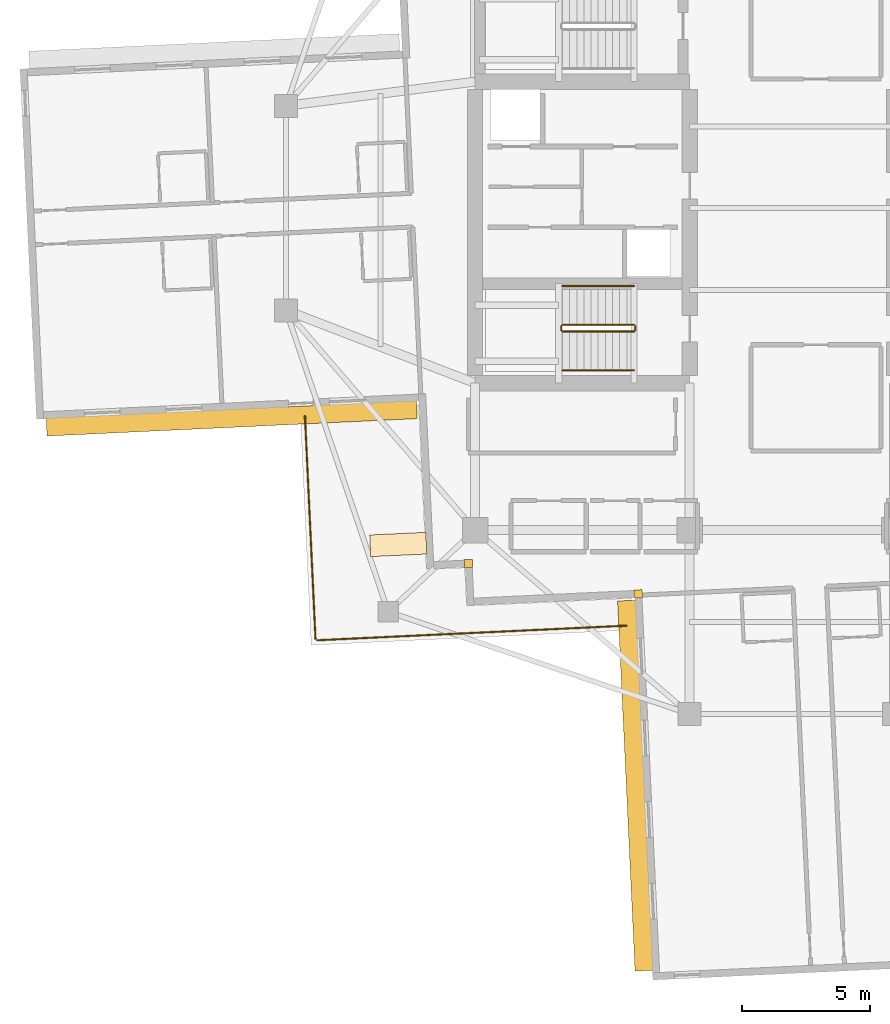
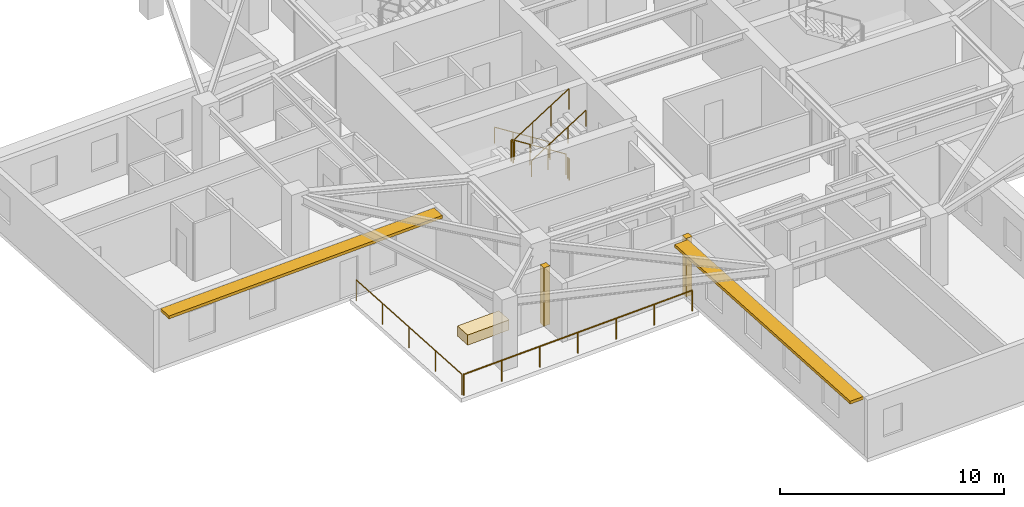
# One storey, part 9 of 12: 8 railings, 3 coverings, 2 shading devices.
"""IFC4 building model written with IfcOpenShell, lengths in metres."""

from ifc_helpers import new_model, si_unit, direction, frame, origin, origin_2d, place, context, subcontext, project, spatial, rectangle, circle, extrude, material, layer, layer_set, type_object, element, save


model = new_model("IFC4")

# Units and contexts
model_context = context("Model", 3, precision=1e-05, world=origin(), true_north=direction((0.0, 1.0)))
body_context = subcontext(model_context, "Body", "Model", "MODEL_VIEW")
ifc_project = project(units=[si_unit("LENGTHUNIT", "METRE"), si_unit("AREAUNIT", "SQUARE_METRE"), si_unit("VOLUMEUNIT", "CUBIC_METRE"), si_unit("PLANEANGLEUNIT", "RADIAN"), si_unit("MASSUNIT", "GRAM", prefix="KILO")], contexts=[model_context])

# Site, building, storey
site_placement = place(None, origin())
site = spatial("IfcSite", under=ifc_project, at=site_placement, CompositionType="ELEMENT")
building_placement = place(site_placement, origin())
building = spatial("IfcBuilding", under=site, at=building_placement, Name="Qingluan Cross Belvedere", CompositionType="ELEMENT")
storey_placement = place(building_placement, frame((0.0, 0.0, 213.0)))
storey = spatial("IfcBuildingStorey", under=building, at=storey_placement, Name="L53", CompositionType="ELEMENT", Elevation=213.0)

# Coverings
ifc_material_1 = material(Name="Precast concrete C45", Category="concrete")
ifc_layer_1 = layer(ifc_material_1, 0.1201171875, Name="ConcreteSpandrelCladding_120")
ifc_layer_set_1 = layer_set([ifc_layer_1], Name="Precast concrete C45")
covering_type_1 = type_object("IfcCoveringType", Name="ConcreteSpandrelCladding_120", PredefinedType="CLADDING", material=ifc_layer_set_1)
for number, where, z_axis, x_axis, name in (
    (1, (-12.65869140625, -13.911865234375, 0.0), (0.0, 0.0, 1.0), (0.998889874962, 0.04710645071, 0.0), "Corner closure L53-SW1"),
    (2, (-6.015380859375, -15.10009765625, 0.0), (0.0, 0.0, 1.0), (0.998889874962, 0.04710645071, 0.0), "Corner closure L53-SW2"),
):
    element("IfcCovering", number, at=place(storey_placement, frame(where, z_axis=z_axis, x_axis=x_axis)), inside=storey, type_object=covering_type_1, Name=name, PredefinedType="CLADDING", context=body_context, shape_type="SweptSolid", body=[
        extrude(rectangle(XDim=0.320068359375, YDim=0.320068359375, at=origin_2d()), origin(), (0.0, 0.0, 1.0), 3.179931640625),
    ])

# Shading devices
ifc_material_2 = material(Name="Precast concrete C45", Category="concrete")
ifc_layer_2 = layer(ifc_material_2, 0.139892578125, Name="ConcreteSunshadeBand_700")
ifc_layer_set_2 = layer_set([ifc_layer_2], Name="Precast concrete C45")
shading_device_type = type_object("IfcShadingDeviceType", Name="ConcreteSunshadeBand_700", PredefinedType="USERDEFINED", material=ifc_layer_set_2)
for number, where, z_axis, x_axis, name in (
    (3, (-21.926513671875, -8.23193359375, 3.0), (0.0, 0.0, 1.0), (0.998889750114, 0.047109098032, 0.0), "Concrete SUNSHADE L53-WB"),
    (4, (-6.132080078125, -22.60400390625, 3.0), (0.0, 0.0, 1.0), (0.047108777928, -0.99888976521, 0.0), "Concrete SUNSHADE L53-SA"),
):
    element("IfcShadingDevice", number, at=place(storey_placement, frame(where, z_axis=z_axis, x_axis=x_axis)), inside=storey, type_object=shading_device_type, Name=name, ObjectType="SUNSHADE", PredefinedType="USERDEFINED", context=body_context, shape_type="SweptSolid", body=[
        extrude(rectangle(XDim=14.5, YDim=0.699951171875, at=origin_2d()), origin(), (0.0, 0.0, 1.0), 0.159912109375),
    ])

# Railings
ifc_material_3 = material(Name="Brushed stainless steel tubular handrail", Category="steel")
railing_type_1 = type_object("IfcRailingType", Name="StairPitchHandrail_900", PredefinedType="HANDRAIL", material=ifc_material_3)
railing_1_placement = place(storey_placement, frame((-6.179931640625, -3.050048828125, 0.17724609375)))
element("IfcRailing", 5, at=railing_1_placement, inside=storey, type_object=railing_type_1, Name="L53 ST1 stair handrail 1", PredefinedType="HANDRAIL", context=body_context, shape_type="SweptSolid", body=[
    extrude(circle(Radius=0.02392578125, at=origin_2d()), frame((0.0, 0.0, 0.8759765625), z_axis=(-0.844908973607, 0.0, 0.534910110503), x_axis=(0.0, -1.0, 0.0)), (0.0, 0.0, 1.0), 3.31396484375),
    extrude(circle(Radius=0.02099609375, at=origin_2d()), origin(), (0.0, 0.0, 1.0), 0.851806640625),
    extrude(circle(Radius=0.02099609375, at=origin_2d()), frame((-0.933349609375, 0.0, 0.5908203125)), (0.0, 0.0, 1.0), 0.851806640625),
    extrude(circle(Radius=0.02099609375, at=origin_2d()), frame((-1.86669921875, 0.0, 1.181884765625)), (0.0, 0.0, 1.0), 0.851806640625),
    extrude(circle(Radius=0.02099609375, at=origin_2d()), frame((-2.800048828125, 0.0, 1.772705078125)), (0.0, 0.0, 1.0), 0.851806640625),
])
railing_2_placement = place(storey_placement, frame((-8.97998046875, -6.35009765625, 2.127197265625)))
element("IfcRailing", 6, at=railing_2_placement, inside=storey, type_object=railing_type_1, Name="L53 ST1 stair handrail 2", PredefinedType="HANDRAIL", context=body_context, shape_type="SweptSolid", body=[
    extrude(circle(Radius=0.02392578125, at=origin_2d()), frame((0.0, 0.0, 0.8759765625), z_axis=(0.844908973607, 0.0, 0.534910110503), x_axis=(0.0, 1.0, 0.0)), (0.0, 0.0, 1.0), 3.31396484375),
    extrude(circle(Radius=0.02099609375, at=origin_2d()), origin(), (0.0, 0.0, 1.0), 0.851806640625),
    extrude(circle(Radius=0.02099609375, at=origin_2d()), frame((0.933349609375, 0.0, 0.5908203125)), (0.0, 0.0, 1.0), 0.851806640625),
    extrude(circle(Radius=0.02099609375, at=origin_2d()), frame((1.86669921875, 0.0, 1.181884765625)), (0.0, 0.0, 1.0), 0.851806640625),
    extrude(circle(Radius=0.02099609375, at=origin_2d()), frame((2.800048828125, 0.0, 1.772705078125)), (0.0, 0.0, 1.0), 0.851806640625),
])
ifc_material_4 = material(Name="Painted steel stair well guard", Category="steel")
railing_type_2 = type_object("IfcRailingType", Name="StairWellGuard_1150", PredefinedType="BALUSTRADE", material=ifc_material_4)
railing_3_placement = place(storey_placement, frame((-6.179931640625, -4.570068359375, 0.17724609375)))
element("IfcRailing", 7, at=railing_3_placement, inside=storey, type_object=railing_type_2, Name="L53 ST1 stair guard 1", PredefinedType="BALUSTRADE", context=body_context, shape_type="SweptSolid", body=[
    extrude(circle(Radius=0.02392578125, at=origin_2d()), frame((0.0, 0.0, 1.1259765625), z_axis=(-0.844908973607, 0.0, 0.534910110503), x_axis=(0.0, -1.0, 0.0)), (0.0, 0.0, 1.0), 3.31396484375),
    extrude(circle(Radius=0.02099609375, at=origin_2d()), origin(), (0.0, 0.0, 1.0), 1.101806640625),
    extrude(circle(Radius=0.02099609375, at=origin_2d()), frame((-0.933349609375, 0.0, 0.5908203125)), (0.0, 0.0, 1.0), 1.101806640625),
    extrude(circle(Radius=0.02099609375, at=origin_2d()), frame((-1.86669921875, 0.0, 1.181884765625)), (0.0, 0.0, 1.0), 1.101806640625),
    extrude(circle(Radius=0.02099609375, at=origin_2d()), frame((-2.800048828125, 0.0, 1.772705078125)), (0.0, 0.0, 1.0), 1.101806640625),
])
railing_4_placement = place(storey_placement, frame((-9.030029296875, -4.6201171875, 1.949951171875)))
element("IfcRailing", 8, at=railing_4_placement, inside=storey, type_object=railing_type_2, Name="L53 ST1 stair guard 2", PredefinedType="BALUSTRADE", context=body_context, shape_type="SweptSolid", body=[
    extrude(circle(Radius=0.02392578125, at=origin_2d()), frame((0.0, 0.0, 1.1259765625), z_axis=(0.0, -1.0, 0.0), x_axis=(1.0, 0.0, 0.0)), (0.0, 0.0, 1.0), 0.159912109375),
    extrude(circle(Radius=0.02099609375, at=origin_2d()), origin(), (0.0, 0.0, 1.0), 1.101806640625),
    extrude(circle(Radius=0.02099609375, at=origin_2d()), frame((0.0, -0.159912109375, 0.0)), (0.0, 0.0, 1.0), 1.101806640625),
])
railing_5_placement = place(storey_placement, frame((-8.97998046875, -4.830078125, 2.127197265625)))
element("IfcRailing", 9, at=railing_5_placement, inside=storey, type_object=railing_type_2, Name="L53 ST1 stair guard 3", PredefinedType="BALUSTRADE", context=body_context, shape_type="SweptSolid", body=[
    extrude(circle(Radius=0.02392578125, at=origin_2d()), frame((0.0, 0.0, 1.1259765625), z_axis=(0.844908973607, 0.0, 0.534910110503), x_axis=(0.0, 1.0, 0.0)), (0.0, 0.0, 1.0), 3.31396484375),
    extrude(circle(Radius=0.02099609375, at=origin_2d()), origin(), (0.0, 0.0, 1.0), 1.101806640625),
    extrude(circle(Radius=0.02099609375, at=origin_2d()), frame((0.933349609375, 0.0, 0.5908203125)), (0.0, 0.0, 1.0), 1.101806640625),
    extrude(circle(Radius=0.02099609375, at=origin_2d()), frame((1.86669921875, 0.0, 1.181884765625)), (0.0, 0.0, 1.0), 1.101806640625),
    extrude(circle(Radius=0.02099609375, at=origin_2d()), frame((2.800048828125, 0.0, 1.772705078125)), (0.0, 0.0, 1.0), 1.101806640625),
])
railing_6_placement = place(storey_placement, frame((-6.1298828125, -4.6201171875, 0.0)))
element("IfcRailing", 10, at=railing_6_placement, inside=storey, type_object=railing_type_2, Name="L53 ST1 stair guard 4", PredefinedType="BALUSTRADE", context=body_context, shape_type="SweptSolid", body=[
    extrude(circle(Radius=0.02392578125, at=origin_2d()), frame((0.0, 0.0, 1.1259765625), z_axis=(0.0, -1.0, 0.0), x_axis=(1.0, 0.0, 0.0)), (0.0, 0.0, 1.0), 0.159912109375),
    extrude(circle(Radius=0.02099609375, at=origin_2d()), origin(), (0.0, 0.0, 1.0), 1.101806640625),
    extrude(circle(Radius=0.02099609375, at=origin_2d()), frame((0.0, -0.159912109375, 0.0)), (0.0, 0.0, 1.0), 1.101806640625),
])
ifc_material_5 = material(Name="Laminated glass and stainless steel balustrade", Category="steel")
railing_type_3 = type_object("IfcRailingType", Name="TerraceGuardBalustrade_1150", PredefinedType="BALUSTRADE", material=ifc_material_5)
railing_7_placement = place(storey_placement, frame((-6.477294921875, -16.34326171875, 0.0)))
element("IfcRailing", 11, at=railing_7_placement, inside=storey, type_object=railing_type_3, Name="Terrace guard L53-1", PredefinedType="BALUSTRADE", context=body_context, shape_type="SweptSolid", body=[
    extrude(circle(Radius=0.02392578125, at=origin_2d()), frame((0.0, 0.0, 1.1259765625), z_axis=(-0.998889411148, -0.047116284841, 0.0), x_axis=(0.047116284841, -0.998889411148, 0.0)), (0.0, 0.0, 1.0), 12.119873046875),
    extrude(circle(Radius=0.02099609375, at=origin_2d()), origin(), (0.0, 0.0, 1.0), 1.101806640625),
    extrude(circle(Radius=0.02099609375, at=origin_2d()), frame((-2.017822265625, -0.09521484375, 0.0)), (0.0, 0.0, 1.0), 1.101806640625),
    extrude(circle(Radius=0.02099609375, at=origin_2d()), frame((-4.035400390625, -0.1904296875, 0.0)), (0.0, 0.0, 1.0), 1.101806640625),
    extrude(circle(Radius=0.02099609375, at=origin_2d()), frame((-6.05322265625, -0.28564453125, 0.0)), (0.0, 0.0, 1.0), 1.101806640625),
    extrude(circle(Radius=0.02099609375, at=origin_2d()), frame((-8.071044921875, -0.380615234375, 0.0)), (0.0, 0.0, 1.0), 1.101806640625),
    extrude(circle(Radius=0.02099609375, at=origin_2d()), frame((-10.088623046875, -0.475830078125, 0.0)), (0.0, 0.0, 1.0), 1.101806640625),
    extrude(circle(Radius=0.02099609375, at=origin_2d()), frame((-12.1064453125, -0.571044921875, 0.0)), (0.0, 0.0, 1.0), 1.101806640625),
])
railing_8_placement = place(storey_placement, frame((-18.646484375, -16.857177734375, 0.0)))
element("IfcRailing", 12, at=railing_8_placement, inside=storey, type_object=railing_type_3, Name="Terrace guard L53-2", PredefinedType="BALUSTRADE", context=body_context, shape_type="SweptSolid", body=[
    extrude(circle(Radius=0.02392578125, at=origin_2d()), frame((0.0, 0.0, 1.1259765625), z_axis=(-0.047119530839, 0.998889258033, 0.0), x_axis=(-0.998889258033, -0.047119530839, 0.0)), (0.0, 0.0, 1.0), 8.72021484375),
    extrude(circle(Radius=0.02099609375, at=origin_2d()), origin(), (0.0, 0.0, 1.0), 1.101806640625),
    extrude(circle(Radius=0.02099609375, at=origin_2d()), frame((-0.102783203125, 2.177734375, 0.0)), (0.0, 0.0, 1.0), 1.101806640625),
    extrude(circle(Radius=0.02099609375, at=origin_2d()), frame((-0.20556640625, 4.355224609375, 0.0)), (0.0, 0.0, 1.0), 1.101806640625),
    extrude(circle(Radius=0.02099609375, at=origin_2d()), frame((-0.30810546875, 6.53271484375, 0.0)), (0.0, 0.0, 1.0), 1.101806640625),
    extrude(circle(Radius=0.02099609375, at=origin_2d()), frame((-0.410888671875, 8.71044921875, 0.0)), (0.0, 0.0, 1.0), 1.101806640625),
])

# Covering
ifc_material_6 = material(Name="Precast concrete C40", Category="concrete")
ifc_layer_3 = layer(ifc_material_6, 0.550048828125, Name="TerracePlanterBox")
ifc_layer_set_3 = layer_set([ifc_layer_3], Name="Precast concrete C40")
covering_type_2 = type_object("IfcCoveringType", Name="TerracePlanterBox", PredefinedType="USERDEFINED", material=ifc_layer_set_3)
covering_placement = place(storey_placement, frame((-15.406005859375, -13.166015625, 0.0), z_axis=(0.0, 0.0, 1.0), x_axis=(0.998889874962, 0.04710645071, 0.0)))
element("IfcCovering", 13, at=covering_placement, inside=storey, type_object=covering_type_2, Name="Spiralling winter-garden planter L53", ObjectType="PLANTER", PredefinedType="USERDEFINED", context=body_context, shape_type="SweptSolid", body=[
    extrude(rectangle(XDim=2.199951171875, YDim=0.85009765625, at=origin_2d()), origin(), (0.0, 0.0, 1.0), 0.550048828125),
])

save(model, "model.ifc")
